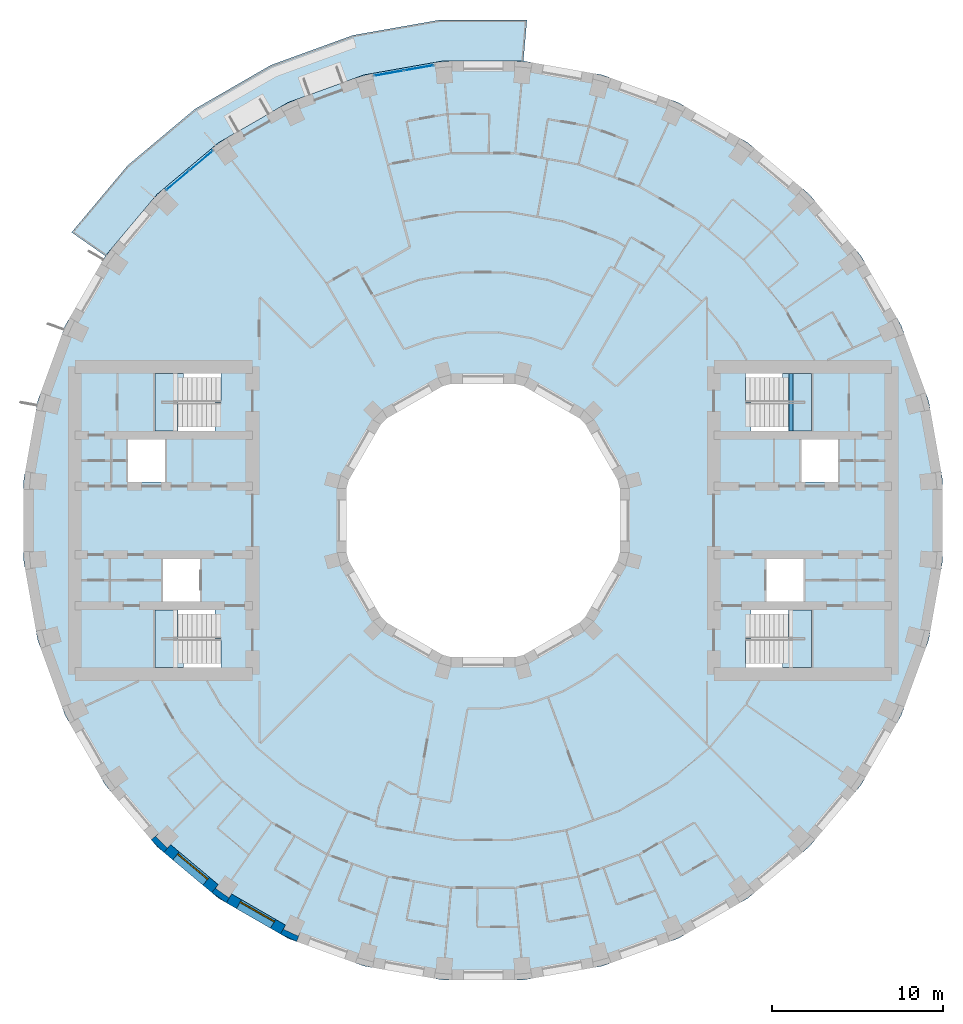
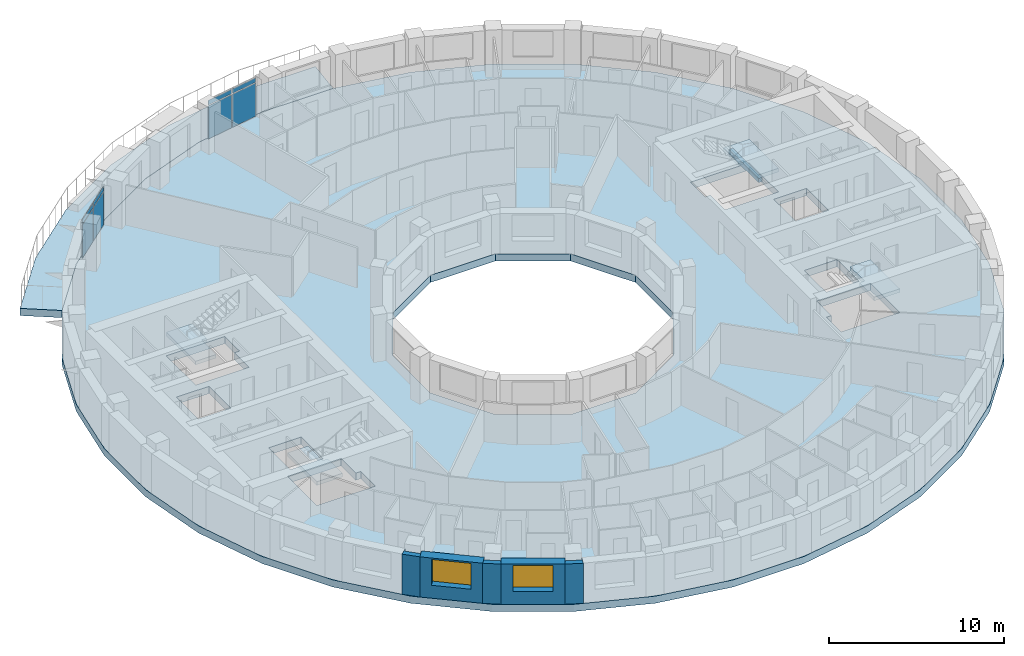
# One storey, part 3 of 14: 8 plates, 6 slabs, 5 walls, 2 windows, 1 beam, 2 openings, 6 elements without a shape of their own.
"""IFC4 building model written with IfcOpenShell, lengths in metres."""

from ifc_helpers import new_model, si_unit, direction, frame, frame_2d, origin, origin_2d, place, context, subcontext, project, spatial, polyline, rectangle, outline, extrude, material, layer, layer_set, material_profile, profile_set, type_object, element, fill, aggregate, save


model = new_model("IFC4")

# Units and contexts
model_context = context("Model", 3, precision=1e-05, world=origin(), true_north=direction((0.0, 1.0)))
body_context = subcontext(model_context, "Body", "Model", "MODEL_VIEW")
ifc_project = project(units=[si_unit("LENGTHUNIT", "METRE"), si_unit("AREAUNIT", "SQUARE_METRE"), si_unit("VOLUMEUNIT", "CUBIC_METRE"), si_unit("PLANEANGLEUNIT", "RADIAN"), si_unit("MASSUNIT", "GRAM", prefix="KILO")], contexts=[model_context])

# Site, building, storey
site_placement = place(None, origin())
site = spatial("IfcSite", under=ifc_project, at=site_placement, CompositionType="ELEMENT")
building_placement = place(site_placement, origin())
building = spatial("IfcBuilding", under=site, at=building_placement, Name="Saqina Gate Tower", CompositionType="ELEMENT")
storey_placement = place(building_placement, frame((0.0, 0.0, 98.5)))
storey = spatial("IfcBuildingStorey", under=building, at=storey_placement, Name="L27", CompositionType="ELEMENT", Elevation=98.5)

# Beam
ifc_material_1 = material(Name="Concrete C40/50", Category="concrete")
ifc_material_profile = material_profile(ifc_material_1, rectangle(XDim=0.25, YDim=0.300048828125, at=origin_2d()), Name="STAIR LANDING BEAM")
ifc_profile_set = profile_set([ifc_material_profile], Name="Concrete C40/50")
beam_type = type_object("IfcBeamType", Name="STAIR LANDING BEAM", PredefinedType="BEAM", material=ifc_profile_set)
beam_placement = place(storey_placement, frame((18.02001953125, 5.25, 1.25), z_axis=(0.0, 1.0, 0.0), x_axis=(-1.0, 0.0, 0.0)))
element("IfcBeam", 1, at=beam_placement, inside=storey, type_object=beam_type, Name="EXIT STAIR 1 LANDING BEAM", PredefinedType="BEAM", context=body_context, shape_type="SweptSolid", body=[
    extrude(rectangle(XDim=0.25, YDim=0.300048828125, at=origin_2d()), origin(), (0.0, 0.0, 1.0), 3.35009765625),
])

# Curtain wall, plates
ifc_material_2 = material(Name="Aluminium glazing", Category="aluminium")
ifc_layer_1 = layer(ifc_material_2, 0.159912109375)
ifc_layer_set_1 = layer_set([ifc_layer_1], Name="CWT-4")
curtain_wall_type = type_object("IfcCurtainWallType", Name="CWT-4", PredefinedType="NOTDEFINED", material=ifc_layer_set_1)
curtain_wall_1_placement = place(storey_placement, origin())
curtain_wall_1 = element("IfcCurtainWall", 2, at=curtain_wall_1_placement, inside=storey, type_object=curtain_wall_type, Name="Terrace lounge glazing facet 10", PredefinedType="NOTDEFINED")
ifc_material_3 = material(Name="Glass", Category="glass")
ifc_layer_2 = layer(ifc_material_3, 0.028076171875)
ifc_layer_set_2 = layer_set([ifc_layer_2], Name="CWT-4P")
plate_type = type_object("IfcPlateType", Name="CWT-4P", PredefinedType="CURTAIN_PANEL", material=ifc_layer_set_2)
plate_1_placement = place(storey_placement, frame((-3.76123046875, 26.49658203125, 0.06005859375), z_axis=(0.0, 0.0, 1.0), x_axis=(-0.984809489664, -0.17363832834, 0.0)))
plate_1 = element("IfcPlate", 3, at=plate_1_placement, type_object=plate_type, Name="CW4-10 panel 1.1", PredefinedType="CURTAIN_PANEL", context=body_context, shape_type="SweptSolid", body=[
    extrude(rectangle(XDim=1.73388671875, YDim=0.028076171875, at=origin_2d()), origin(), (0.0, 0.0, 1.0), 2.31005859375),
])
plate_2_placement = place(storey_placement, frame((-3.76123046875, 26.49658203125, 2.429931640625), z_axis=(0.0, 0.0, 1.0), x_axis=(-0.984809489664, -0.17363832834, 0.0)))
plate_2 = element("IfcPlate", 4, at=plate_2_placement, type_object=plate_type, Name="CW4-10 panel 1.2", PredefinedType="CURTAIN_PANEL", context=body_context, shape_type="SweptSolid", body=[
    extrude(rectangle(XDim=1.73388671875, YDim=0.028076171875, at=origin_2d()), origin(), (0.0, 0.0, 1.0), 0.31005859375),
])
plate_3_placement = place(storey_placement, frame((-5.52783203125, 26.18505859375, 0.06005859375), z_axis=(0.0, 0.0, 1.0), x_axis=(-0.984809489664, -0.17363832834, 0.0)))
plate_3 = element("IfcPlate", 5, at=plate_3_placement, type_object=plate_type, Name="CW4-10 panel 2.1", PredefinedType="CURTAIN_PANEL", context=body_context, shape_type="SweptSolid", body=[
    extrude(rectangle(XDim=1.73388671875, YDim=0.028076171875, at=origin_2d()), origin(), (0.0, 0.0, 1.0), 2.31005859375),
])
plate_4_placement = place(storey_placement, frame((-5.52783203125, 26.18505859375, 2.429931640625), z_axis=(0.0, 0.0, 1.0), x_axis=(-0.984809489664, -0.17363832834, 0.0)))
plate_4 = element("IfcPlate", 6, at=plate_4_placement, type_object=plate_type, Name="CW4-10 panel 2.2", PredefinedType="CURTAIN_PANEL", context=body_context, shape_type="SweptSolid", body=[
    extrude(rectangle(XDim=1.73388671875, YDim=0.028076171875, at=origin_2d()), origin(), (0.0, 0.0, 1.0), 0.31005859375),
])
aggregate(curtain_wall_1, [plate_1, plate_2, plate_3, plate_4])

curtain_wall_2_placement = place(storey_placement, origin())
curtain_wall_2 = element("IfcCurtainWall", 7, at=curtain_wall_2_placement, inside=storey, type_object=curtain_wall_type, Name="Terrace lounge glazing facet 13", PredefinedType="NOTDEFINED")
plate_5_placement = place(storey_placement, frame((-16.505615234375, 21.066162109375, 0.06005859375), z_axis=(0.0, 0.0, 1.0), x_axis=(-0.766041744675, -0.642790825553, 0.0)))
plate_5 = element("IfcPlate", 8, at=plate_5_placement, type_object=plate_type, Name="CW4-13 panel 1.1", PredefinedType="CURTAIN_PANEL", context=body_context, shape_type="SweptSolid", body=[
    extrude(rectangle(XDim=1.73388671875, YDim=0.028076171875, at=origin_2d()), origin(), (0.0, 0.0, 1.0), 2.31005859375),
])
plate_6_placement = place(storey_placement, frame((-16.505615234375, 21.066162109375, 2.429931640625), z_axis=(0.0, 0.0, 1.0), x_axis=(-0.766041744675, -0.642790825553, 0.0)))
plate_6 = element("IfcPlate", 9, at=plate_6_placement, type_object=plate_type, Name="CW4-13 panel 1.2", PredefinedType="CURTAIN_PANEL", context=body_context, shape_type="SweptSolid", body=[
    extrude(rectangle(XDim=1.73388671875, YDim=0.028076171875, at=origin_2d()), origin(), (0.0, 0.0, 1.0), 0.31005859375),
])
plate_7_placement = place(storey_placement, frame((-17.8798828125, 19.9130859375, 0.06005859375), z_axis=(0.0, 0.0, 1.0), x_axis=(-0.766041744675, -0.642790825553, 0.0)))
plate_7 = element("IfcPlate", 10, at=plate_7_placement, type_object=plate_type, Name="CW4-13 panel 2.1", PredefinedType="CURTAIN_PANEL", context=body_context, shape_type="SweptSolid", body=[
    extrude(rectangle(XDim=1.73388671875, YDim=0.028076171875, at=origin_2d()), origin(), (0.0, 0.0, 1.0), 2.31005859375),
])
plate_8_placement = place(storey_placement, frame((-17.8798828125, 19.9130859375, 2.429931640625), z_axis=(0.0, 0.0, 1.0), x_axis=(-0.766041744675, -0.642790825553, 0.0)))
plate_8 = element("IfcPlate", 11, at=plate_8_placement, type_object=plate_type, Name="CW4-13 panel 2.2", PredefinedType="CURTAIN_PANEL", context=body_context, shape_type="SweptSolid", body=[
    extrude(rectangle(XDim=1.73388671875, YDim=0.028076171875, at=origin_2d()), origin(), (0.0, 0.0, 1.0), 0.31005859375),
])
aggregate(curtain_wall_2, [plate_5, plate_6, plate_7, plate_8])

# Stair, slab
ifc_material_4 = material(Name="Concrete C40/50", Category="concrete")
stair_type = type_object("IfcStairType", Name="EXIT STAIR", PredefinedType="HALF_TURN_STAIR", material=ifc_material_4)
stair_1_placement = place(storey_placement, origin())
stair_1 = element("IfcStair", 12, at=stair_1_placement, inside=storey, type_object=stair_type, Name="EXIT STAIR 1", PredefinedType="HALF_TURN_STAIR")
ifc_material_5 = material(Name="Concrete C40/50", Category="concrete")
ifc_layer_3 = layer(ifc_material_5, 0.25)
ifc_layer_set_3 = layer_set([ifc_layer_3], Name="Concrete C40/50")
slab_type_1 = type_object("IfcSlabType", Name="EXIT STAIR LANDING", PredefinedType="LANDING", material=ifc_layer_set_3)
slab_1_placement = place(storey_placement, frame((0.0, 0.0, 1.39990234375)))
slab_1 = element("IfcSlab", 13, at=slab_1_placement, type_object=slab_type_1, Name="EXIT STAIR 1 LANDING 1", PredefinedType="LANDING", context=body_context, shape_type="SweptSolid", body=[
    extrude(outline(polyline([(19.219970703125, 8.60009765625), (19.219970703125, 5.25), (17.864990234375, 5.25), (17.864990234375, 6.925048828125), (17.534423828125, 6.925048828125), (17.534423828125, 8.60009765625), (17.864990234375, 8.60009765625), (17.8701171875, 8.60009765625), (19.219970703125, 8.60009765625)])), origin(), (0.0, 0.0, 1.0), 0.25),
])
aggregate(stair_1, [slab_1])

stair_2_placement = place(storey_placement, origin())
stair_2 = element("IfcStair", 14, at=stair_2_placement, inside=storey, type_object=stair_type, Name="EXIT STAIR 2", PredefinedType="HALF_TURN_STAIR")
slab_2_placement = place(storey_placement, frame((0.0, 0.0, 1.39990234375)))
slab_2 = element("IfcSlab", 15, at=slab_2_placement, type_object=slab_type_1, Name="EXIT STAIR 2 LANDING 1", PredefinedType="LANDING", context=body_context, shape_type="SweptSolid", body=[
    extrude(outline(polyline([(17.534423828125, -8.60009765625), (17.534423828125, -6.925048828125), (17.864990234375, -6.925048828125), (17.864990234375, -5.25), (19.219970703125, -5.25), (19.219970703125, -8.60009765625), (17.8701171875, -8.60009765625), (17.864990234375, -8.60009765625), (17.534423828125, -8.60009765625)])), origin(), (0.0, 0.0, 1.0), 0.25),
])
aggregate(stair_2, [slab_2])

stair_3_placement = place(storey_placement, origin())
stair_3 = element("IfcStair", 16, at=stair_3_placement, inside=storey, type_object=stair_type, Name="EXIT STAIR 3", PredefinedType="HALF_TURN_STAIR")
slab_3_placement = place(storey_placement, frame((0.0, 0.0, 1.39990234375)))
slab_3 = element("IfcSlab", 17, at=slab_3_placement, type_object=slab_type_1, Name="EXIT STAIR 3 LANDING 1", PredefinedType="LANDING", context=body_context, shape_type="SweptSolid", body=[
    extrude(outline(polyline([(-17.864990234375, 5.25), (-19.219970703125, 5.25), (-19.219970703125, 8.60009765625), (-17.8701171875, 8.60009765625), (-17.864990234375, 8.60009765625), (-17.534423828125, 8.60009765625), (-17.534423828125, 6.925048828125), (-17.864990234375, 6.925048828125), (-17.864990234375, 5.25)])), origin(), (0.0, 0.0, 1.0), 0.25),
])
aggregate(stair_3, [slab_3])

stair_4_placement = place(storey_placement, origin())
stair_4 = element("IfcStair", 18, at=stair_4_placement, inside=storey, type_object=stair_type, Name="EXIT STAIR 4", PredefinedType="HALF_TURN_STAIR")
slab_4_placement = place(storey_placement, frame((0.0, 0.0, 1.39990234375)))
slab_4 = element("IfcSlab", 19, at=slab_4_placement, type_object=slab_type_1, Name="EXIT STAIR 4 LANDING 1", PredefinedType="LANDING", context=body_context, shape_type="SweptSolid", body=[
    extrude(outline(polyline([(-17.534423828125, -6.925048828125), (-17.534423828125, -8.60009765625), (-17.864990234375, -8.60009765625), (-17.8701171875, -8.60009765625), (-19.219970703125, -8.60009765625), (-19.219970703125, -5.25), (-17.864990234375, -5.25), (-17.864990234375, -6.925048828125), (-17.534423828125, -6.925048828125)])), origin(), (0.0, 0.0, 1.0), 0.25),
])
aggregate(stair_4, [slab_4])

# Slabs
ifc_material_6 = material(Name="Concrete C40/50", Category="concrete")
ifc_layer_4 = layer(ifc_material_6, 0.5)
ifc_layer_set_4 = layer_set([ifc_layer_4], Name="Concrete C40/50")
slab_type_2 = type_object("IfcSlabType", Name="STR-POST-TENSIONED FLAT PLATE FLOOR-500", PredefinedType="FLOOR", material=ifc_layer_set_4)
slab_5_placement = place(storey_placement, frame((0.0, 0.0, -0.5)))
element("IfcSlab", 20, at=slab_5_placement, inside=storey, type_object=slab_type_2, Name="L27-SLB01", PredefinedType="FLOOR", context=body_context, shape_type="SweptSolid", body=[
    extrude(outline(polyline([(26.080078125, -6.988037109375), (26.897216796875, -2.353271484375), (26.897216796875, 2.353271484375), (26.080078125, 6.988037109375), (24.47021484375, 11.41064453125), (22.1171875, 15.486572265625), (19.091796875, 19.091796875), (15.486572265625, 22.1171875), (11.41064453125, 24.47021484375), (6.988037109375, 26.080078125), (2.353271484375, 26.897216796875), (-2.353271484375, 26.897216796875), (-6.988037109375, 26.080078125), (-11.41064453125, 24.47021484375), (-15.486572265625, 22.1171875), (-19.091796875, 19.091796875), (-22.1171875, 15.486572265625), (-24.47021484375, 11.41064453125), (-26.080078125, 6.988037109375), (-26.897216796875, 2.353271484375), (-26.897216796875, -2.353271484375), (-26.080078125, -6.988037109375), (-24.47021484375, -11.41064453125), (-22.1171875, -15.486572265625), (-19.091796875, -19.091796875), (-15.486572265625, -22.1171875), (-11.41064453125, -24.47021484375), (-6.988037109375, -26.080078125), (-2.353271484375, -26.897216796875), (2.353271484375, -26.897216796875), (6.988037109375, -26.080078125), (11.41064453125, -24.47021484375), (15.486572265625, -22.1171875), (19.091796875, -19.091796875), (22.1171875, -15.486572265625), (24.47021484375, -11.41064453125), (26.080078125, -6.988037109375)]), holes=[polyline([(2.1435546875, 8.0), (5.8564453125, 5.8564453125), (8.0, 2.1435546875), (8.0, -2.1435546875), (5.8564453125, -5.8564453125), (2.1435546875, -8.0), (-2.1435546875, -8.0), (-5.8564453125, -5.8564453125), (-8.0, -2.1435546875), (-8.0, 2.1435546875), (-5.8564453125, 5.8564453125), (-2.1435546875, 8.0), (2.1435546875, 8.0)]), polyline([(-15.35498046875, -8.60009765625), (-19.219970703125, -8.60009765625), (-19.219970703125, -6.925048828125), (-19.219970703125, -5.25), (-15.685546875, -5.25), (-15.685546875, -6.925048828125), (-15.35498046875, -6.925048828125), (-15.35498046875, -8.60009765625)]), polyline([(-16.590087890625, -2.25), (-16.590087890625, -4.75), (-18.75, -4.75), (-18.75, -2.25), (-16.590087890625, -2.25)]), polyline([(-20.780029296875, 4.75), (-18.6201171875, 4.75), (-18.6201171875, 2.25), (-20.780029296875, 2.25), (-20.780029296875, 4.75)]), polyline([(-19.219970703125, 6.925048828125), (-19.219970703125, 8.60009765625), (-15.35498046875, 8.60009765625), (-15.35498046875, 6.925048828125), (-15.685546875, 6.925048828125), (-15.685546875, 5.25), (-19.219970703125, 5.25), (-19.219970703125, 6.925048828125)]), polyline([(15.35498046875, -8.60009765625), (15.35498046875, -6.925048828125), (15.685546875, -6.925048828125), (15.685546875, -5.25), (19.219970703125, -5.25), (19.219970703125, -6.925048828125), (19.219970703125, -8.60009765625), (15.35498046875, -8.60009765625)]), polyline([(18.75, -2.25), (18.75, -4.75), (16.590087890625, -4.75), (16.590087890625, -2.25), (18.75, -2.25)]), polyline([(18.6201171875, 4.75), (20.780029296875, 4.75), (20.780029296875, 2.25), (18.6201171875, 2.25), (18.6201171875, 4.75)]), polyline([(15.685546875, 6.925048828125), (15.35498046875, 6.925048828125), (15.35498046875, 8.60009765625), (19.219970703125, 8.60009765625), (19.219970703125, 6.925048828125), (19.219970703125, 5.25), (15.685546875, 5.25), (15.685546875, 6.925048828125)])]), origin(), (0.0, 0.0, 1.0), 0.5),
])
ifc_material_7 = material(Name="Concrete C40/50", Category="concrete")
ifc_layer_5 = layer(ifc_material_7, 0.5)
ifc_layer_set_5 = layer_set([ifc_layer_5], Name="Concrete C40/50")
slab_type_3 = type_object("IfcSlabType", Name="STR-POST-TENSIONED FLAT PLATE TERRACE-500", PredefinedType="FLOOR", material=ifc_layer_set_5)
slab_6_placement = place(storey_placement, frame((0.0, 0.0, -0.5)))
element("IfcSlab", 21, at=slab_6_placement, inside=storey, type_object=slab_type_3, Name="L27-TRS01", PredefinedType="FLOOR", context=body_context, shape_type="SweptSolid", body=[
    extrude(outline(polyline([(2.353271484375, 26.897216796875), (-2.353271484375, 26.897216796875), (-6.988037109375, 26.080078125), (-11.41064453125, 24.47021484375), (-15.486572265625, 22.1171875), (-19.091796875, 19.091796875), (-22.1171875, 15.486572265625), (-24.090576171875, 16.868408203125), (-20.79541015625, 20.79541015625), (-16.868408203125, 24.090576171875), (-12.428955078125, 26.65380859375), (-7.611572265625, 28.406982421875), (-2.563232421875, 29.29736328125), (2.563232421875, 29.29736328125), (2.353271484375, 26.897216796875)])), origin(), (0.0, 0.0, 1.0), 0.5),
])

# Walls
ifc_material_8 = material(Name="Brick masonry (buff)", Category="masonry")
wall_type_1 = type_object("IfcWallType", Name="BRICK PIER COPING BUFF", PredefinedType="SOLIDWALL", material=ifc_material_8)
wall_1_placement = place(storey_placement, origin())
element("IfcWall", 22, at=wall_1_placement, inside=storey, type_object=wall_type_1, Name="Pier cap L27 column 23", PredefinedType="SOLIDWALL", context=body_context, shape_type="SweptSolid", body=[
    extrude(outline(polyline([(-19.43212890625, -18.686279296875), (-18.686279296875, -19.43212890625), (-18.30078125, -18.972412109375), (-18.49072265625, -19.16259765625), (-19.16259765625, -18.49072265625), (-18.972412109375, -18.30078125), (-19.43212890625, -18.686279296875)])), origin(), (0.0, 0.0, 1.0), 2.800048828125),
])
wall_2_placement = place(storey_placement, origin())
element("IfcWall", 23, at=wall_2_placement, inside=storey, type_object=wall_type_1, Name="Pier cap L27 column 24", PredefinedType="SOLIDWALL", context=body_context, shape_type="SweptSolid", body=[
    extrude(outline(polyline([(-15.0283203125, -22.3818359375), (-14.728271484375, -21.862060546875), (-14.88232421875, -22.08251953125), (-15.66064453125, -21.53759765625), (-15.50634765625, -21.317138671875), (-15.89208984375, -21.77685546875), (-15.0283203125, -22.3818359375)])), origin(), (0.0, 0.0, 1.0), 2.800048828125),
])
wall_3_placement = place(storey_placement, origin())
element("IfcWall", 24, at=wall_3_placement, inside=storey, type_object=wall_type_1, Name="Pier cap L27 column 25", PredefinedType="SOLIDWALL", context=body_context, shape_type="SweptSolid", body=[
    extrude(outline(polyline([(-10.913330078125, -24.6513671875), (-10.7080078125, -24.08740234375), (-10.82177734375, -24.331298828125), (-11.6826171875, -23.9296875), (-11.569091796875, -23.68603515625), (-11.869140625, -24.205810546875), (-10.913330078125, -24.6513671875)])), origin(), (0.0, 0.0, 1.0), 2.800048828125),
])

# Wall, opening, window
ifc_material_9 = material(Name="Brick masonry (buff)", Category="masonry")
ifc_layer_6 = layer(ifc_material_9, 0.60009765625)
ifc_layer_set_6 = layer_set([ifc_layer_6], Name="FW-BRICK-BUFF")
wall_type_2 = type_object("IfcWallType", Name="FW-BRICK-BUFF", PredefinedType="SOLIDWALL", material=ifc_layer_set_6)
wall_4_placement = place(storey_placement, frame((-18.49365234375, -19.202392578125, 0.0), z_axis=(0.0, 0.0, 1.0), x_axis=(0.766055462616, -0.642774476932, 0.0)))
wall_4 = element("IfcWall", 25, at=wall_4_placement, inside=storey, type_object=wall_type_2, Name="Facade wall L27 facet 23", PredefinedType="SOLIDWALL", context=body_context, shape_type="SweptSolid", body=[
    extrude(rectangle(XDim=3.647705078125, YDim=0.60009765625, at=frame_2d((1.82373046875, 0.0))), origin(), (0.0, 0.0, 1.0), 2.800048828125),
])
opening_1_placement = place(wall_4_placement, frame((0.673828125, 0.0, 0.89990234375)))
opening_1 = element("IfcOpeningElement", 26, at=opening_1_placement, cuts=wall_4, Name="Opening G07-W12", PredefinedType="OPENING", context=body_context, shape_type="SweptSolid", body=[
    extrude(rectangle(XDim=2.300048828125, YDim=1.800048828125, at=frame_2d((1.14990234375, 0.89990234375))), frame((0.0, 0.31201171875, 0.0), z_axis=(0.0, -1.0, 0.0), x_axis=(1.0, 0.0, 0.0)), (0.0, 0.0, 1.0), 0.6240234375),
])
ifc_material_10 = material(Name="Aluminium glazing", Category="aluminium")
window_type = type_object("IfcWindowType", Name="WN-B", PartitioningType="SINGLE_PANEL", PredefinedType="WINDOW", material=ifc_material_10)
window_1_placement = place(opening_1_placement, origin())
window_1 = element("IfcWindow", 27, at=window_1_placement, inside=storey, type_object=window_type, Name="Window L27 facet 23", OverallHeight=1.800048828125, OverallWidth=2.300048828125, PartitioningType="SINGLE_PANEL", PredefinedType="WINDOW", context=body_context, shape_type="SweptSolid", body=[
    extrude(rectangle(XDim=2.300048828125, YDim=1.800048828125, at=frame_2d((1.14990234375, 0.89990234375))), frame((0.0, 0.179931640625, 0.0), z_axis=(0.0, -1.0, 0.0), x_axis=(1.0, 0.0, 0.0)), (0.0, 0.0, 1.0), 0.06005859375),
])
fill(opening_1, window_1)

wall_5_placement = place(storey_placement, frame((-14.878173828125, -22.1220703125, 0.0), z_axis=(0.0, 0.0, 1.0), x_axis=(0.866051847062, -0.499954196102, 0.0)))
wall_5 = element("IfcWall", 28, at=wall_5_placement, inside=storey, type_object=wall_type_2, Name="Facade wall L27 facet 24", PredefinedType="SOLIDWALL", context=body_context, shape_type="SweptSolid", body=[
    extrude(rectangle(XDim=3.647705078125, YDim=0.60009765625, at=frame_2d((1.82373046875, 0.0))), origin(), (0.0, 0.0, 1.0), 2.800048828125),
])
opening_2_placement = place(wall_5_placement, frame((0.673828125, 0.0, 0.89990234375)))
opening_2 = element("IfcOpeningElement", 29, at=opening_2_placement, cuts=wall_5, Name="Opening G07-W13", PredefinedType="OPENING", context=body_context, shape_type="SweptSolid", body=[
    extrude(rectangle(XDim=2.300048828125, YDim=1.800048828125, at=frame_2d((1.14990234375, 0.89990234375))), frame((0.0, 0.31201171875, 0.0), z_axis=(0.0, -1.0, 0.0), x_axis=(1.0, 0.0, 0.0)), (0.0, 0.0, 1.0), 0.6240234375),
])
window_2_placement = place(opening_2_placement, origin())
window_2 = element("IfcWindow", 30, at=window_2_placement, inside=storey, type_object=window_type, Name="Window L27 facet 24", OverallHeight=1.800048828125, OverallWidth=2.300048828125, PartitioningType="SINGLE_PANEL", PredefinedType="WINDOW", context=body_context, shape_type="SweptSolid", body=[
    extrude(rectangle(XDim=2.300048828125, YDim=1.800048828125, at=frame_2d((1.14990234375, 0.89990234375))), frame((0.0, 0.179931640625, 0.0), z_axis=(0.0, -1.0, 0.0), x_axis=(1.0, 0.0, 0.0)), (0.0, 0.0, 1.0), 0.06005859375),
])
fill(opening_2, window_2)

save(model, "model.ifc")
